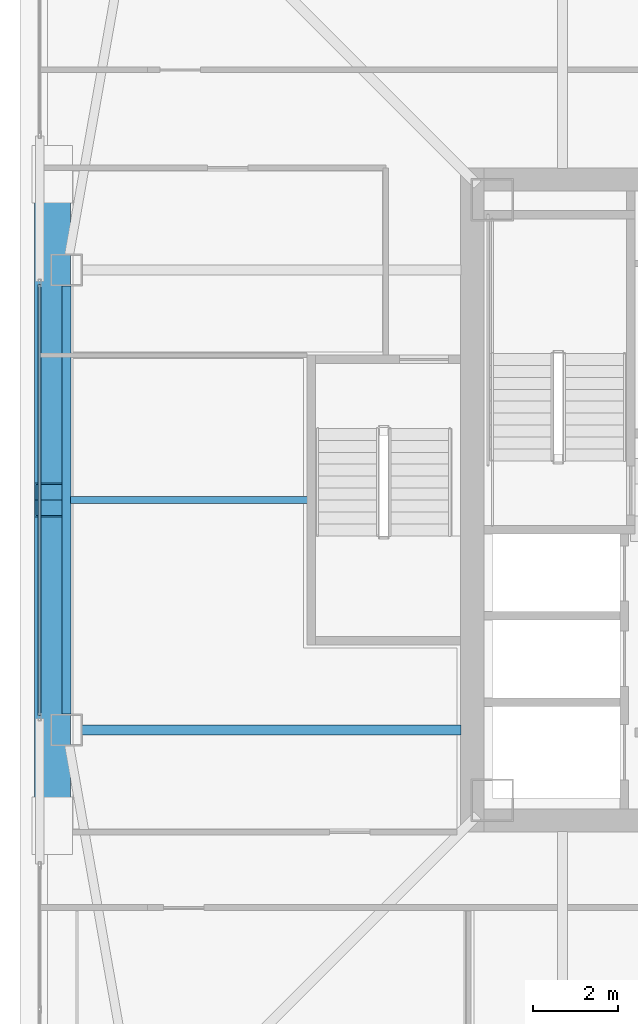
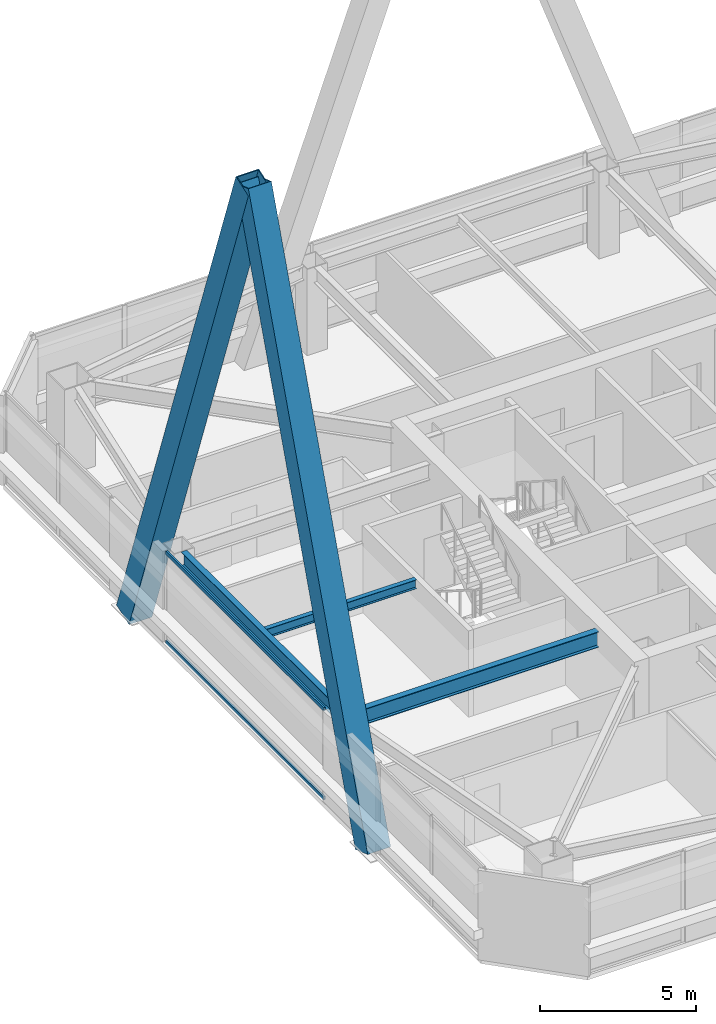
# One storey, part 10 of 55: 4 members, 3 beams, 1 element without a shape of its own.
"""IFC4 building model written with IfcOpenShell, lengths in metres."""

from ifc_helpers import new_model, si_unit, direction, frame, origin, origin_2d, place, context, subcontext, project, spatial, hollow_rectangle, i_section, extrude, material, material_profile, profile_set, type_object, element, aggregate, save


model = new_model("IFC4")

# Units and contexts
model_context = context("Model", 3, precision=1e-05, world=origin(), true_north=direction((0.0, 1.0)))
body_context = subcontext(model_context, "Body", "Model", "MODEL_VIEW")
ifc_project = project(units=[si_unit("LENGTHUNIT", "METRE"), si_unit("AREAUNIT", "SQUARE_METRE"), si_unit("VOLUMEUNIT", "CUBIC_METRE"), si_unit("PLANEANGLEUNIT", "RADIAN"), si_unit("MASSUNIT", "GRAM", prefix="KILO")], contexts=[model_context])

# Site, building, storey
site_placement = place(None, origin())
site = spatial("IfcSite", under=ifc_project, at=site_placement, CompositionType="ELEMENT")
building_placement = place(site_placement, origin())
building = spatial("IfcBuilding", under=site, at=building_placement, Name="Tashvorn Skyway Center", CompositionType="ELEMENT")
storey_placement = place(building_placement, frame((0.0, 0.0, 178.300048828125)))
storey = spatial("IfcBuildingStorey", under=building, at=storey_placement, Name="L48", CompositionType="ELEMENT", Elevation=178.300048828125)

# Beams
ifc_material_1 = material(Name="Steel ASTM A992 Grade 50", Category="steel")
ifc_material_profile_1 = material_profile(ifc_material_1, i_section(OverallWidth=0.22998046875, OverallDepth=0.616943359375, WebThickness=0.01318359375, FlangeThickness=0.022216796875, at=origin_2d()), Name="W24X94")
ifc_profile_set_1 = profile_set([ifc_material_profile_1], Name="Steel ASTM A992 Grade 50")
beam_type_1 = type_object("IfcBeamType", Name="BM-BEAM-W24X94", PredefinedType="BEAM", material=ifc_profile_set_1)
beam_1_placement = place(storey_placement, frame((25.320068359375, 26.60009765625, 3.0615234375), z_axis=(1.0, 0.0, 0.0), x_axis=(0.0, 1.0, 0.0)))
element("IfcBeam", 1, at=beam_1_placement, inside=storey, type_object=beam_type_1, Name="Tower 1 L48 Primary Floor Girder FC-W2", PredefinedType="BEAM", context=body_context, shape_type="SweptSolid", body=[
    extrude(i_section(OverallWidth=0.22998046875, OverallDepth=0.616943359375, WebThickness=0.01318359375, FlangeThickness=0.022216796875, at=origin_2d()), origin(), (0.0, 0.0, 1.0), 8.89990234375),
])
ifc_material_profile_2 = material_profile(ifc_material_1, i_section(OverallWidth=0.1708984375, OverallDepth=0.35498046875, WebThickness=0.007080078125, FlangeThickness=0.01171875, at=origin_2d()), Name="W14X34")
ifc_profile_set_2 = profile_set([ifc_material_profile_2], Name="Steel ASTM A992 Grade 50")
beam_type_2 = type_object("IfcBeamType", Name="BM-JOIST-W14X34", PredefinedType="JOIST", material=ifc_profile_set_2)
beam_2_placement = place(storey_placement, frame((30.610107421875, 32.0, 3.1923828125), z_axis=(-1.0, 0.0, 0.0), x_axis=(0.0, -1.0, 0.0)))
element("IfcBeam", 2, at=beam_2_placement, inside=storey, type_object=beam_type_2, Name="Tower 1 L48 Secondary Composite Joist JW", PredefinedType="JOIST", context=body_context, shape_type="SweptSolid", body=[
    extrude(i_section(OverallWidth=0.1708984375, OverallDepth=0.35498046875, WebThickness=0.007080078125, FlangeThickness=0.01171875, at=origin_2d()), origin(), (0.0, 0.0, 1.0), 5.5625),
])
ifc_material_profile_3 = material_profile(ifc_material_1, i_section(OverallWidth=0.2109375, OverallDepth=0.5390625, WebThickness=0.01171875, FlangeThickness=0.018798828125, at=origin_2d()), Name="W21X73")
ifc_profile_set_3 = profile_set([ifc_material_profile_3], Name="Steel ASTM A992 Grade 50")
beam_type_3 = type_object("IfcBeamType", Name="BM-SPANDREL-W21X73", PredefinedType="SPANDREL", material=ifc_profile_set_3)
beam_3_placement = place(storey_placement, frame((24.949951171875, 37.030029296875, 3.100341796875), z_axis=(0.0, -1.0, 0.0), x_axis=(1.0, 0.0, 0.0)))
element("IfcBeam", 3, at=beam_3_placement, inside=storey, type_object=beam_type_3, Name="Tower 1 L48 Spandrel Beam 11", PredefinedType="SPANDREL", context=body_context, shape_type="SweptSolid", body=[
    extrude(i_section(OverallWidth=0.2109375, OverallDepth=0.5390625, WebThickness=0.01171875, FlangeThickness=0.018798828125, at=origin_2d()), origin(), (0.0, 0.0, 1.0), 10.06005859375),
])

# Curtain wall, members
ifc_material_2 = material(Name="Thermally broken bronze-anodized aluminium 6063-T6", Category="aluminium")
curtain_wall_type = type_object("IfcCurtainWallType", Name="CW-CW-Z4", PredefinedType="NOTDEFINED", material=ifc_material_2)
curtain_wall_placement = place(storey_placement, origin())
curtain_wall = element("IfcCurtainWall", 4, at=curtain_wall_placement, inside=storey, type_object=curtain_wall_type, Name="Tower 1 L48 West Unitised Curtain Wall Glazing Group 2", PredefinedType="NOTDEFINED")
ifc_material_profile_4 = material_profile(ifc_material_2, hollow_rectangle(XDim=0.070068359375, YDim=0.1298828125, WallThickness=0.00390625, at=origin_2d()), Name="ALU-TRAN-70x130")
ifc_profile_set_4 = profile_set([ifc_material_profile_4], Name="Thermally broken bronze-anodized aluminium 6063-T6")
member_type_1 = type_object("IfcMemberType", Name="CWT-CW-Z4", PredefinedType="USERDEFINED", material=ifc_profile_set_4)
member_1_placement = place(storey_placement, frame((24.320068359375, 26.943359375, 0.034912109375), z_axis=(0.0, 1.0, 0.0), x_axis=(-1.0, 0.0, 0.0)))
member_1 = element("IfcMember", 5, at=member_1_placement, type_object=member_type_1, Name="CW-Z4 transom 1.1", ObjectType="TRANSOM", PredefinedType="USERDEFINED", context=body_context, shape_type="SweptSolid", body=[
    extrude(hollow_rectangle(XDim=0.070068359375, YDim=0.1298828125, WallThickness=0.00390625, at=origin_2d()), origin(), (0.0, 0.0, 1.0), 10.11328125),
])
member_2_placement = place(storey_placement, frame((24.320068359375, 26.943359375, 3.514892578125), z_axis=(0.0, 1.0, 0.0), x_axis=(-1.0, 0.0, 0.0)))
member_2 = element("IfcMember", 6, at=member_2_placement, type_object=member_type_1, Name="CW-Z4 transom 1.2", ObjectType="TRANSOM", PredefinedType="USERDEFINED", context=body_context, shape_type="SweptSolid", body=[
    extrude(hollow_rectangle(XDim=0.070068359375, YDim=0.1298828125, WallThickness=0.00390625, at=origin_2d()), origin(), (0.0, 0.0, 1.0), 10.11328125),
])
aggregate(curtain_wall, [member_1, member_2])

# Members
ifc_material_3 = material(Name="Steel ASTM A572 Grade 50", Category="steel")
ifc_material_profile_5 = material_profile(ifc_material_3, hollow_rectangle(XDim=0.85009765625, YDim=0.85009765625, WallThickness=0.034912109375, at=origin_2d()), Name="BOX850x850x35")
ifc_profile_set_5 = profile_set([ifc_material_profile_5], Name="Steel ASTM A572 Grade 50")
member_type_2 = type_object("IfcMemberType", Name="MEM-MB-850", PredefinedType="BRACE", material=ifc_profile_set_5)
for number, where, z_axis, x_axis, name in (
    (7, (24.6201171875, 39.64990234375, -0.449951171875), (0.0, -0.336612679687, 0.941643193505), (1.0, 0.0, 0.0), "Tower 1 Zone 4 W Chevron Mega-Brace L2"),
    (8, (24.6201171875, 24.35009765625, -0.449951171875), (0.0, 0.336612679687, 0.941643193505), (-1.0, 0.0, 0.0), "Tower 1 Zone 4 W Chevron Mega-Brace R2"),
):
    element("IfcMember", number, at=place(storey_placement, frame(where, z_axis=z_axis, x_axis=x_axis)), inside=storey, type_object=member_type_2, Name=name, PredefinedType="BRACE", context=body_context, shape_type="SweptSolid", body=[
        extrude(hollow_rectangle(XDim=0.85009765625, YDim=0.85009765625, WallThickness=0.034912109375, at=origin_2d()), origin(), (0.0, 0.0, 1.0), 22.72607421875),
    ])

save(model, "model.ifc")
